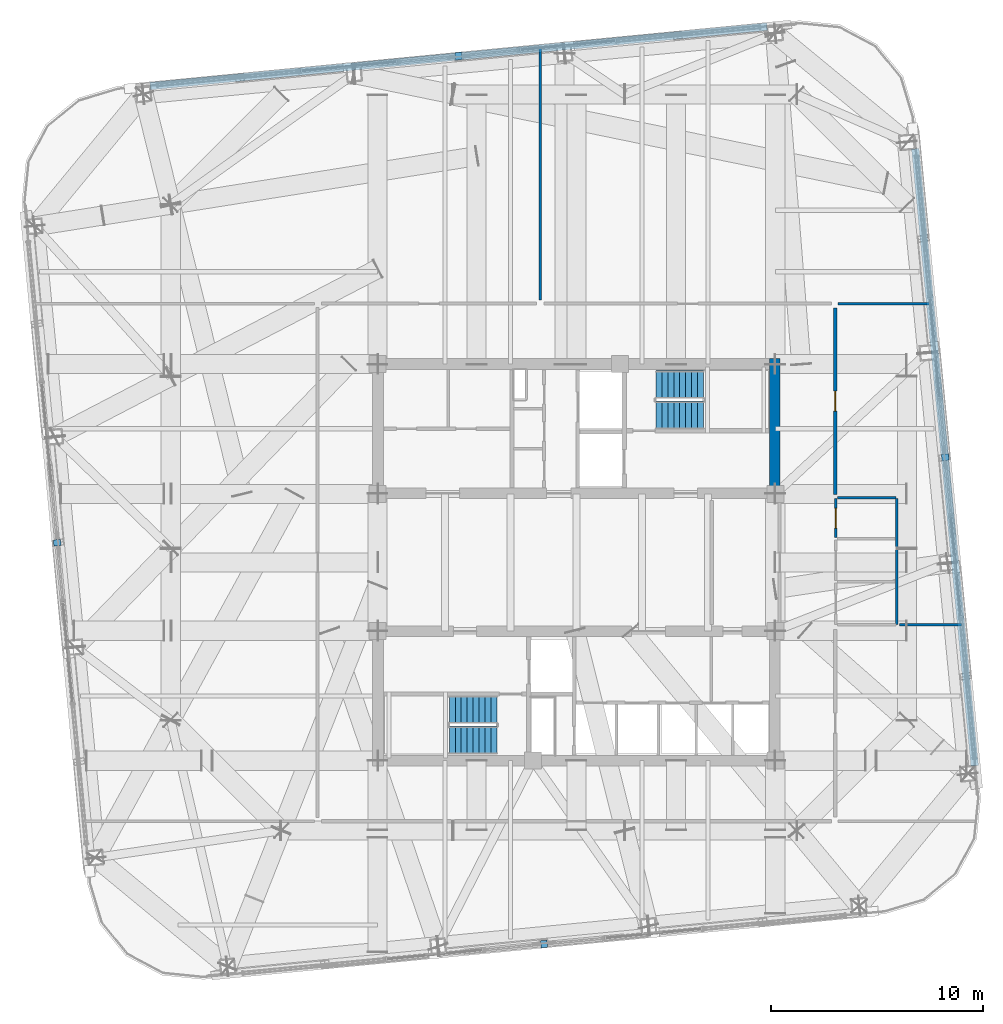
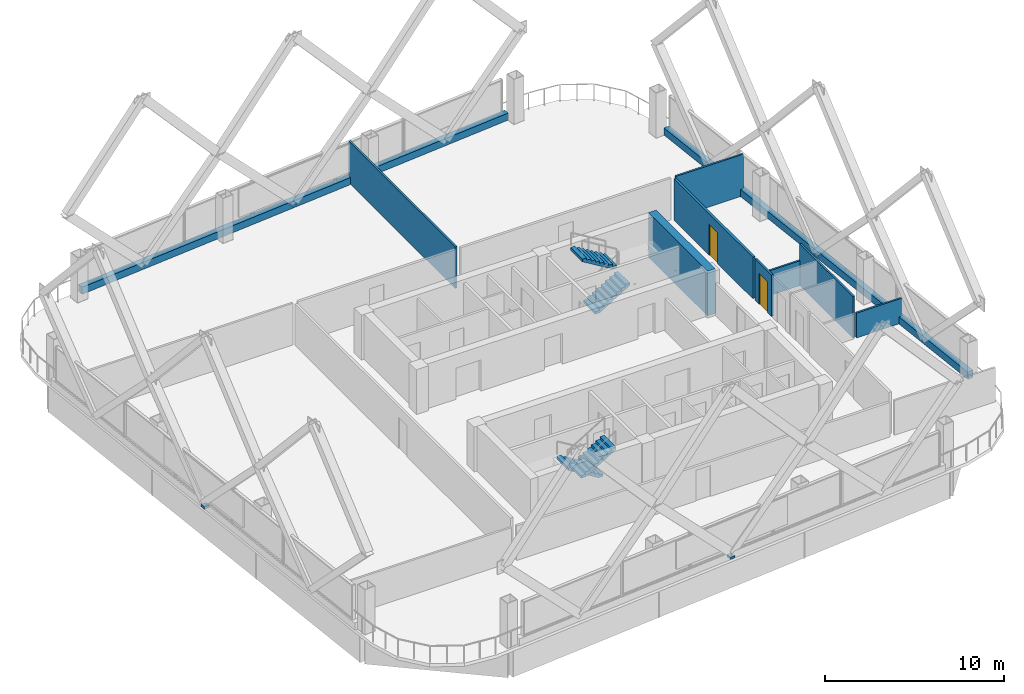
# One storey, part 34 of 37: 10 walls, 4 discrete accessories, 4 stair flights, 2 doors, 2 openings, 2 elements without a shape of their own.
"""IFC4 building model written with IfcOpenShell, lengths in metres."""

from ifc_helpers import new_model, si_unit, direction, frame, frame_2d, origin, origin_2d, place, context, subcontext, project, spatial, polyline, rectangle, outline, extrude, material, layer, layer_set, type_object, element, fill, aggregate, save


model = new_model("IFC4")

# Units and contexts
model_context = context("Model", 3, precision=1e-05, world=origin(), true_north=direction((0.0, 1.0)))
body_context = subcontext(model_context, "Body", "Model", "MODEL_VIEW")
ifc_project = project(units=[si_unit("LENGTHUNIT", "METRE"), si_unit("AREAUNIT", "SQUARE_METRE"), si_unit("VOLUMEUNIT", "CUBIC_METRE"), si_unit("PLANEANGLEUNIT", "RADIAN"), si_unit("MASSUNIT", "GRAM", prefix="KILO")], contexts=[model_context])

# Site, building, storey
site_placement = place(None, origin())
site = spatial("IfcSite", under=ifc_project, at=site_placement, CompositionType="ELEMENT")
building_placement = place(site_placement, origin())
building = spatial("IfcBuilding", under=site, at=building_placement, Name="Qhalaya Broadcast Tower", CompositionType="ELEMENT")
storey_placement = place(building_placement, frame((0.0, 0.0, 156.14990234375)))
storey = spatial("IfcBuildingStorey", under=building, at=storey_placement, Name="L45", CompositionType="ELEMENT", Elevation=156.14990234375)

# Wall, opening, door
ifc_material_1 = material(Name="Gypsum Acoustic Partition")
ifc_layer_1 = layer(ifc_material_1, 0.14990234375, Name="Gypsum Acoustic Partition")
ifc_layer_set_1 = layer_set([ifc_layer_1], Name="Gypsum Acoustic Partition")
wall_type_1 = type_object("IfcWallType", Name="Corridor & Tenancy Acoustic Partition 150", PredefinedType="PARTITIONING", material=ifc_layer_set_1)
wall_1_placement = place(storey_placement, frame((12.199951171875, 3.800048828125, 0.0), z_axis=(0.0, 0.0, 1.0), x_axis=(0.0, 1.0, 0.0)))
wall_1 = element("IfcWall", 1, at=wall_1_placement, inside=storey, type_object=wall_type_1, Name="L45 Partition Wall W-COR-06", PredefinedType="PARTITIONING", context=body_context, shape_type="SweptSolid", body=[
    extrude(rectangle(XDim=8.800048828125, YDim=0.14990234375, at=frame_2d((4.39990234375, 0.0))), origin(), (0.0, 0.0, 1.0), 2.830078125),
])
opening_1_placement = place(wall_1_placement, frame((3.925048828125, 0.0, 0.0)))
opening_1 = element("IfcOpeningElement", 2, at=opening_1_placement, cuts=wall_1, Name="Opening D10", PredefinedType="OPENING", context=body_context, shape_type="SweptSolid", body=[
    extrude(rectangle(XDim=0.949951171875, YDim=2.10009765625, at=frame_2d((0.47509765625, 1.050048828125))), frame((0.0, 0.0869140625, 0.0), z_axis=(0.0, -1.0, 0.0), x_axis=(1.0, 0.0, 0.0)), (0.0, 0.0, 1.0), 0.173828125),
])
ifc_material_2 = material(Name="Timber Veneer Acoustic Door", Category="wood")
door_type_1 = type_object("IfcDoorType", Name="Cellular Office & Edit Booth Door D10", OperationType="NOTDEFINED", PredefinedType="DOOR", material=ifc_material_2)
door_1_placement = place(opening_1_placement, origin())
door_1 = element("IfcDoor", 3, at=door_1_placement, inside=storey, type_object=door_type_1, Name="L45 Door D-RM06", OperationType="SINGLE_SWING_RIGHT", OverallHeight=2.10009765625, OverallWidth=0.949951171875, PredefinedType="DOOR", context=body_context, shape_type="SweptSolid", body=[
    extrude(rectangle(XDim=0.949951171875, YDim=2.10009765625, at=frame_2d((0.47509765625, 1.050048828125))), frame((0.0, 0.02490234375, 0.0), z_axis=(0.0, -1.0, 0.0), x_axis=(1.0, 0.0, 0.0)), (0.0, 0.0, 1.0), 0.050048828125),
])
fill(opening_1, door_1)

# Walls
ifc_material_3 = material(Name="Precast Concrete C40/50", Category="concrete")
ifc_layer_2 = layer(ifc_material_3, 0.360107421875, Name="Precast Concrete C40/50")
ifc_layer_set_2 = layer_set([ifc_layer_2], Name="Precast Concrete C40/50")
wall_type_2 = type_object("IfcWallType", Name="Insulated Precast Terracotta Exterior Wall 360", PredefinedType="SOLIDWALL", material=ifc_layer_set_2)
for number, where, z_axis, x_axis, name in (
    (4, (15.972900390625, 20.098388671875, 0.0), (0.0, 0.0, 1.0), (0.09583879873, -0.995396867916, 0.0), "L45 Cantilever Block Sill Spandrel E"),
    (5, (-20.098388671875, 23.052734375, 0.0), (0.0, 0.0, 1.0), (0.995396070917, 0.095847076136, 0.0), "L45 Cantilever Block Sill Spandrel N"),
):
    element("IfcWall", number, at=place(storey_placement, frame(where, z_axis=z_axis, x_axis=x_axis)), inside=storey, type_object=wall_type_2, Name=name, PredefinedType="SOLIDWALL", context=body_context, shape_type="SweptSolid", body=[
        extrude(rectangle(XDim=29.223876953125, YDim=0.360107421875, at=frame_2d((14.61181640625, 0.0))), origin(), (0.0, 0.0, 1.0), 0.47998046875),
    ])
ifc_material_4 = material(Name="Concrete C50/60", Category="concrete")
ifc_layer_3 = layer(ifc_material_4, 0.5, Name="Concrete C50/60")
ifc_layer_set_3 = layer_set([ifc_layer_3], Name="Concrete C50/60")
wall_type_3 = type_object("IfcWallType", Name="Mid Split-Core Shear Wall 500", PredefinedType="SHEAR", material=ifc_layer_set_3)
wall_2_placement = place(storey_placement, frame((9.35009765625, 3.60009765625, 0.0), z_axis=(0.0, 0.0, 1.0), x_axis=(0.0, 1.0, 0.0)))
element("IfcWall", 6, at=wall_2_placement, inside=storey, type_object=wall_type_3, Name="L45 Split-Core Shear Wall CW-NE", PredefinedType="SHEAR", context=body_context, shape_type="SweptSolid", body=[
    extrude(rectangle(XDim=6.599853515625, YDim=0.5, at=frame_2d((3.2998046875, 0.0))), origin(), (0.0, 0.0, 1.0), 3.050048828125),
])

# Wall, opening, door
ifc_layer_4 = layer(ifc_material_1, 0.1201171875, Name="Gypsum Acoustic Partition")
ifc_layer_set_4 = layer_set([ifc_layer_4], Name="Gypsum Acoustic Partition")
wall_type_4 = type_object("IfcWallType", Name="Office, Booth & Sanitary Partition 120", PredefinedType="PARTITIONING", material=ifc_layer_set_4)
wall_3_placement = place(storey_placement, frame((12.219970703125, 1.780029296875, 0.0), z_axis=(0.0, 0.0, 1.0), x_axis=(0.0, 1.0, 0.0)))
wall_3 = element("IfcWall", 7, at=wall_3_placement, inside=storey, type_object=wall_type_4, Name="L45 Partition Wall W-WCWF", PredefinedType="PARTITIONING", context=body_context, shape_type="SweptSolid", body=[
    extrude(rectangle(XDim=1.830078125, YDim=0.1201171875, at=frame_2d((0.9150390625, 0.0))), origin(), (0.0, 0.0, 1.0), 2.830078125),
])
opening_2_placement = place(wall_3_placement, frame((0.43994140625, 0.0, 0.0)))
opening_2 = element("IfcOpeningElement", 8, at=opening_2_placement, cuts=wall_3, Name="Opening D12", PredefinedType="OPENING", context=body_context, shape_type="SweptSolid", body=[
    extrude(rectangle(XDim=0.919921875, YDim=2.10009765625, at=frame_2d((0.4599609375, 1.050048828125))), frame((0.0, 0.072021484375, 0.0), z_axis=(0.0, -1.0, 0.0), x_axis=(1.0, 0.0, 0.0)), (0.0, 0.0, 1.0), 0.14404296875),
])
door_type_2 = type_object("IfcDoorType", Name="Accessible WC & Restroom Door D12", OperationType="NOTDEFINED", PredefinedType="DOOR", material=ifc_material_2)
door_2_placement = place(opening_2_placement, origin())
door_2 = element("IfcDoor", 9, at=door_2_placement, inside=storey, type_object=door_type_2, Name="L45 Door D-WCF", OperationType="SINGLE_SWING_LEFT", OverallHeight=2.10009765625, OverallWidth=0.919921875, PredefinedType="DOOR", context=body_context, shape_type="SweptSolid", body=[
    extrude(rectangle(XDim=0.919921875, YDim=2.10009765625, at=frame_2d((0.4599609375, 1.050048828125))), frame((0.0, 0.02490234375, 0.0), z_axis=(0.0, -1.0, 0.0), x_axis=(1.0, 0.0, 0.0)), (0.0, 0.0, 1.0), 0.050048828125),
])
fill(opening_2, door_2)

# Walls
wall_4_placement = place(storey_placement, frame((15.10009765625, -2.320068359375, 0.0), z_axis=(0.0, 0.0, 1.0), x_axis=(0.0, 1.0, 0.0)))
element("IfcWall", 10, at=wall_4_placement, inside=storey, type_object=wall_type_4, Name="L45 Partition Wall W-WCE", PredefinedType="PARTITIONING", context=body_context, shape_type="SweptSolid", body=[
    extrude(rectangle(XDim=5.93017578125, YDim=0.1201171875, at=frame_2d((2.965087890625, 0.0))), origin(), (0.0, 0.0, 1.0), 2.830078125),
])
wall_5_placement = place(storey_placement, frame((12.31005859375, 3.639892578125, 0.0), z_axis=(0.0, 0.0, 1.0), x_axis=(1.0, 0.0, 0.0)))
element("IfcWall", 11, at=wall_5_placement, inside=storey, type_object=wall_type_4, Name="L45 Partition Wall W-WCN", PredefinedType="PARTITIONING", context=body_context, shape_type="SweptSolid", body=[
    extrude(rectangle(XDim=2.760009765625, YDim=0.1201171875, at=frame_2d((1.3798828125, 0.0))), origin(), (0.0, 0.0, 1.0), 1.692138671875),
])
wall_6_placement = place(storey_placement, frame((12.340087890625, 12.800048828125, 0.0), z_axis=(0.0, 0.0, 1.0), x_axis=(1.0, 0.0, 0.0)))
element("IfcWall", 12, at=wall_6_placement, inside=storey, type_object=wall_type_4, Name="L45 Partition Wall W-BNDE1", PredefinedType="PARTITIONING", context=body_context, shape_type="SweptSolid", body=[
    extrude(rectangle(XDim=4.35546875, YDim=0.1201171875, at=frame_2d((2.177734375, 0.0))), origin(), (0.0, 0.0, 1.0), 2.830078125),
])
wall_7_placement = place(storey_placement, frame((-1.699951171875, 12.9599609375, 0.0), z_axis=(0.0, 0.0, 1.0), x_axis=(0.0, 1.0, 0.0)))
element("IfcWall", 13, at=wall_7_placement, inside=storey, type_object=wall_type_4, Name="L45 Partition Wall W-DIVN1", PredefinedType="PARTITIONING", context=body_context, shape_type="SweptSolid", body=[
    extrude(rectangle(XDim=11.884521484375, YDim=0.1201171875, at=frame_2d((5.9423828125, 0.0))), origin(), (0.0, 0.0, 1.0), 2.830078125),
])
wall_8_placement = place(storey_placement, frame((15.239990234375, -2.35009765625, 0.0), z_axis=(0.0, 0.0, 1.0), x_axis=(1.0, 0.0, 0.0)))
element("IfcWall", 14, at=wall_8_placement, inside=storey, type_object=wall_type_4, Name="L45 Partition Wall W-DIVE-WC", PredefinedType="PARTITIONING", context=body_context, shape_type="SweptSolid", body=[
    extrude(rectangle(XDim=2.914306640625, YDim=0.1201171875, at=frame_2d((1.45703125, 0.0))), origin(), (0.0, 0.0, 1.0), 1.692138671875),
])

# Stair, stair flights
ifc_material_5 = material(Name="Concrete C40/50", Category="concrete")
stair_type = type_object("IfcStairType", Name="Protected Dogleg Core Stair 3150", PredefinedType="TWO_STRAIGHT_RUN_STAIR", material=ifc_material_5)
stair_1_placement = place(storey_placement, origin())
stair_1 = element("IfcStair", 15, at=stair_1_placement, inside=storey, type_object=stair_type, Name="L45 North Core Exit Stair ST-1", PredefinedType="TWO_STRAIGHT_RUN_STAIR")
stair_flight_type = type_object("IfcStairFlightType", Name="Precast Concrete Stair Flight 3150", PredefinedType="STRAIGHT", material=ifc_material_3)
stair_flight_1_placement = place(storey_placement, frame((3.75, 7.5400390625, 0.0), z_axis=(0.0, 0.0, 1.0), x_axis=(1.0, 0.0, 0.0)))
stair_flight_1 = element("IfcStairFlight", 16, at=stair_flight_1_placement, type_object=stair_flight_type, Name="ST-1 flight 1", NumberOfRisers=9, NumberOfTreads=8, PredefinedType="STRAIGHT", RiserHeight=0.169444444, TreadLength=0.28, context=body_context, shape_type="SweptSolid", body=[
    extrude(outline(polyline([(0.0, 0.0), (0.0, 0.16943359375), (0.280029296875, 0.16943359375), (0.280029296875, 0.3388671875), (0.56005859375, 0.3388671875), (0.56005859375, 0.50830078125), (0.840087890625, 0.50830078125), (0.840087890625, 0.677734375), (1.1201171875, 0.677734375), (1.1201171875, 0.84716796875), (1.39990234375, 0.84716796875), (1.39990234375, 1.0166015625), (1.679931640625, 1.0166015625), (1.679931640625, 1.18603515625), (1.9599609375, 1.18603515625), (1.9599609375, 1.35546875), (2.239990234375, 1.35546875), (2.239990234375, 1.52490234375), (2.239990234375, 1.180419921875), (0.28955078125, 0.0), (0.0, 0.0)])), frame((0.0, 0.66015625, 0.0), z_axis=(0.0, -1.0, 0.0), x_axis=(1.0, 0.0, 0.0)), (0.0, 0.0, 1.0), 1.320068359375),
])
stair_flight_2_placement = place(storey_placement, frame((5.989990234375, 8.97998046875, 1.525146484375), z_axis=(0.0, 0.0, 1.0), x_axis=(-1.0, 0.0, 0.0)))
stair_flight_2 = element("IfcStairFlight", 17, at=stair_flight_2_placement, type_object=stair_flight_type, Name="ST-1 flight 2", NumberOfRisers=9, NumberOfTreads=8, PredefinedType="STRAIGHT", RiserHeight=0.169444444, TreadLength=0.28, context=body_context, shape_type="SweptSolid", body=[
    extrude(outline(polyline([(0.0, 0.0), (0.0, 0.16943359375), (0.280029296875, 0.16943359375), (0.280029296875, 0.3388671875), (0.56005859375, 0.3388671875), (0.56005859375, 0.50830078125), (0.840087890625, 0.50830078125), (0.840087890625, 0.677734375), (1.1201171875, 0.677734375), (1.1201171875, 0.84716796875), (1.39990234375, 0.84716796875), (1.39990234375, 1.0166015625), (1.679931640625, 1.0166015625), (1.679931640625, 1.18603515625), (1.9599609375, 1.18603515625), (1.9599609375, 1.35546875), (2.239990234375, 1.35546875), (2.239990234375, 1.52490234375), (2.239990234375, 1.180419921875), (0.28955078125, 0.0), (0.0, 0.0)])), frame((0.0, 0.66015625, 0.0), z_axis=(0.0, -1.0, 0.0), x_axis=(1.0, 0.0, 0.0)), (0.0, 0.0, 1.0), 1.320068359375),
])
aggregate(stair_1, [stair_flight_1, stair_flight_2])

stair_2_placement = place(storey_placement, origin())
stair_2 = element("IfcStair", 18, at=stair_2_placement, inside=storey, type_object=stair_type, Name="L45 South Core Exit Stair ST-2", PredefinedType="TWO_STRAIGHT_RUN_STAIR")
stair_flight_3_placement = place(storey_placement, frame((-3.75, -6.340087890625, 0.0), z_axis=(0.0, 0.0, 1.0), x_axis=(-1.0, 0.0, 0.0)))
stair_flight_3 = element("IfcStairFlight", 19, at=stair_flight_3_placement, type_object=stair_flight_type, Name="ST-2 flight 1", NumberOfRisers=9, NumberOfTreads=8, PredefinedType="STRAIGHT", RiserHeight=0.169444444, TreadLength=0.28, context=body_context, shape_type="SweptSolid", body=[
    extrude(outline(polyline([(0.0, 0.0), (0.0, 0.16943359375), (0.280029296875, 0.16943359375), (0.280029296875, 0.3388671875), (0.56005859375, 0.3388671875), (0.56005859375, 0.50830078125), (0.840087890625, 0.50830078125), (0.840087890625, 0.677734375), (1.1201171875, 0.677734375), (1.1201171875, 0.84716796875), (1.39990234375, 0.84716796875), (1.39990234375, 1.0166015625), (1.679931640625, 1.0166015625), (1.679931640625, 1.18603515625), (1.9599609375, 1.18603515625), (1.9599609375, 1.35546875), (2.239990234375, 1.35546875), (2.239990234375, 1.52490234375), (2.239990234375, 1.180419921875), (0.28955078125, 0.0), (0.0, 0.0)])), frame((0.0, 0.66015625, 0.0), z_axis=(0.0, -1.0, 0.0), x_axis=(1.0, 0.0, 0.0)), (0.0, 0.0, 1.0), 1.320068359375),
])
stair_flight_4_placement = place(storey_placement, frame((-5.989990234375, -7.780029296875, 1.525146484375), z_axis=(0.0, 0.0, 1.0), x_axis=(1.0, 0.0, 0.0)))
stair_flight_4 = element("IfcStairFlight", 20, at=stair_flight_4_placement, type_object=stair_flight_type, Name="ST-2 flight 2", NumberOfRisers=9, NumberOfTreads=8, PredefinedType="STRAIGHT", RiserHeight=0.169444444, TreadLength=0.28, context=body_context, shape_type="SweptSolid", body=[
    extrude(outline(polyline([(0.0, 0.0), (0.0, 0.16943359375), (0.280029296875, 0.16943359375), (0.280029296875, 0.3388671875), (0.56005859375, 0.3388671875), (0.56005859375, 0.50830078125), (0.840087890625, 0.50830078125), (0.840087890625, 0.677734375), (1.1201171875, 0.677734375), (1.1201171875, 0.84716796875), (1.39990234375, 0.84716796875), (1.39990234375, 1.0166015625), (1.679931640625, 1.0166015625), (1.679931640625, 1.18603515625), (1.9599609375, 1.18603515625), (1.9599609375, 1.35546875), (2.239990234375, 1.35546875), (2.239990234375, 1.52490234375), (2.239990234375, 1.180419921875), (0.28955078125, 0.0), (0.0, 0.0)])), frame((0.0, 0.66015625, 0.0), z_axis=(0.0, -1.0, 0.0), x_axis=(1.0, 0.0, 0.0)), (0.0, 0.0, 1.0), 1.320068359375),
])
aggregate(stair_2, [stair_flight_3, stair_flight_4])

# Discrete accessories
ifc_material_6 = material(Name="Structural Steel ASTM A572 Grade 50", Category="steel")
discrete_accessory_type = type_object("IfcDiscreteAccessoryType", Name="Facade Baguette Support Bracket BRK-01", PredefinedType="BRACKET", material=ifc_material_6)
for number, where, z_axis, x_axis, name in (
    (21, (-1.5244140625, -17.393310546875, 0.0), (0.0, 0.0, 1.0), (0.995396198367, 0.09584575252, 0.0), "L45 Baguette Support Bracket S"),
    (22, (17.393310546875, 5.5556640625, 0.0), (0.0, 0.0, 1.0), (-0.09584575252, 0.995396198367, 0.0), "L45 Baguette Support Bracket E"),
    (23, (-5.5556640625, 24.47314453125, 0.0), (0.0, 0.0, 1.0), (-0.995396198367, -0.09584575252, 0.0), "L45 Baguette Support Bracket N"),
    (24, (-24.47314453125, 1.5244140625, 0.0), (0.0, 0.0, 1.0), (0.09584575252, -0.995396198367, 0.0), "L45 Baguette Support Bracket W"),
):
    element("IfcDiscreteAccessory", number, at=place(storey_placement, frame(where, z_axis=z_axis, x_axis=x_axis)), inside=storey, type_object=discrete_accessory_type, Name=name, PredefinedType="BRACKET", context=body_context, shape_type="SweptSolid", body=[
        extrude(rectangle(XDim=0.300048828125, YDim=0.340087890625, at=origin_2d()), origin(), (0.0, 0.0, 1.0), 0.159912109375),
    ])

save(model, "model.ifc")
